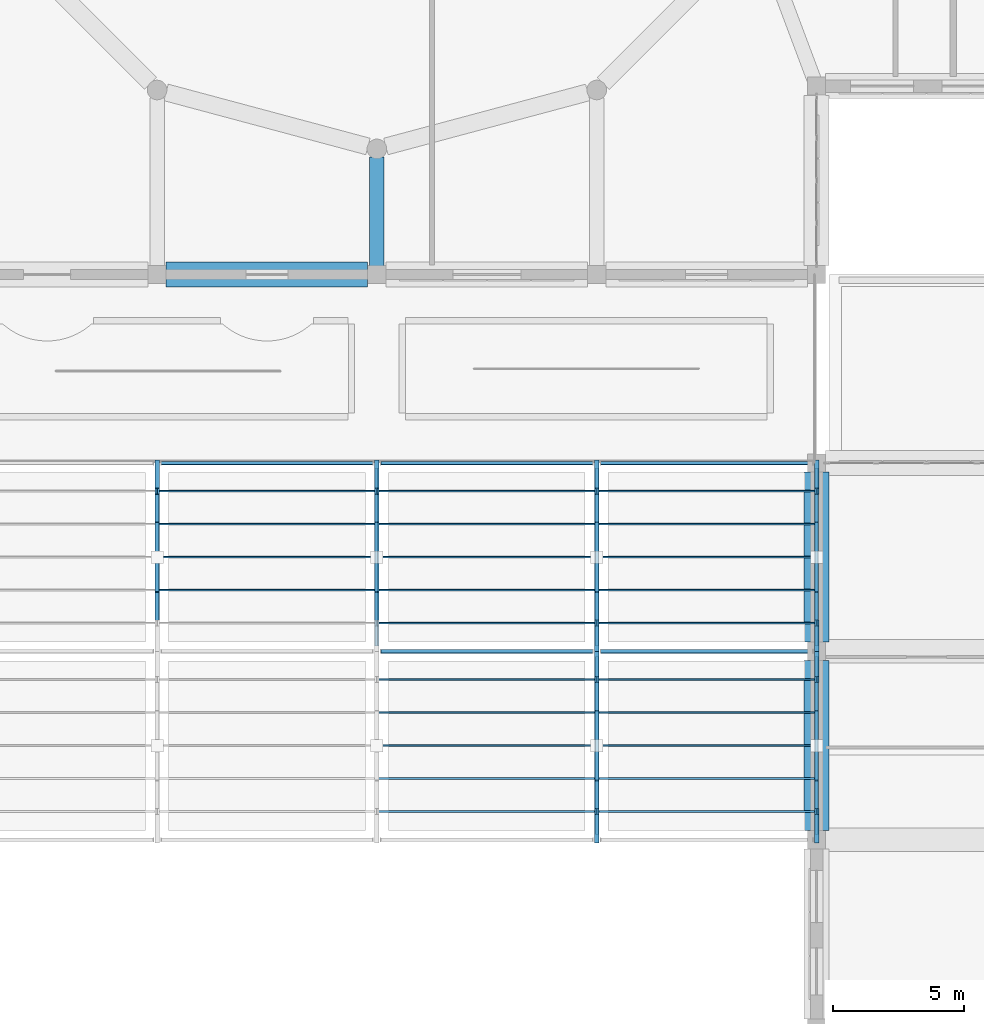
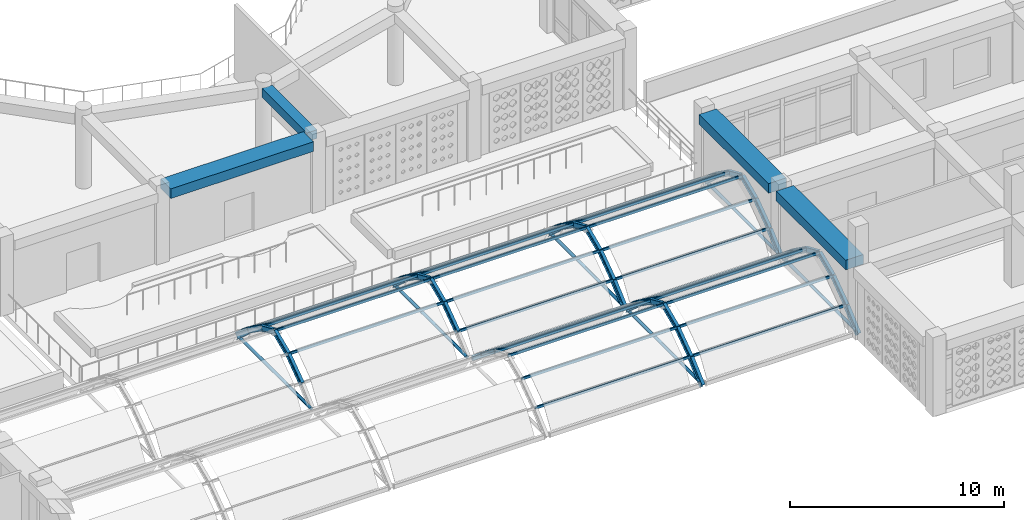
# One storey, part 12 of 100: 43 beams, 30 members.
"""IFC4 building model written with IfcOpenShell, lengths in metres."""

from ifc_helpers import new_model, si_unit, derived_unit, direction, frame, origin, origin_2d, place, context, subcontext, project, spatial, rectangle, hollow_rectangle, hollow_circle, i_section, extrude, material, material_profile, profile_set, type_object, element, save


model = new_model("IFC4")

# Units and contexts
model_context = context("Model", 3, precision=1e-05, world=origin(), true_north=direction((0.0, 1.0)))
body_context = subcontext(model_context, "Body", "Model", "MODEL_VIEW")
ifc_project = project(units=[si_unit("LENGTHUNIT", "METRE"), si_unit("AREAUNIT", "SQUARE_METRE"), si_unit("VOLUMEUNIT", "CUBIC_METRE"), si_unit("PLANEANGLEUNIT", "RADIAN"), si_unit("MASSUNIT", "GRAM", prefix="KILO"), derived_unit("THERMALTRANSMITTANCEUNIT", [(si_unit("POWERUNIT", "WATT"), 1), (si_unit("LENGTHUNIT", "METRE"), -2), (si_unit("THERMODYNAMICTEMPERATUREUNIT", "KELVIN"), -1)])], contexts=[model_context])

# Site, building, storey
site_placement = place(None, origin())
site = spatial("IfcSite", under=ifc_project, at=site_placement, CompositionType="ELEMENT")
building_placement = place(site_placement, origin())
building = spatial("IfcBuilding", under=site, at=building_placement, Name="Veybourne Emporium", CompositionType="ELEMENT")
storey_placement = place(building_placement, frame((0.0, 0.0, 14.39990234375)))
storey = spatial("IfcBuildingStorey", under=building, at=storey_placement, Name="L03", CompositionType="ELEMENT", Elevation=14.39990234375)

# Beams
ifc_material_1 = material(Name="Concrete C32/40", Category="concrete")
ifc_material_profile_1 = material_profile(ifc_material_1, rectangle(XDim=0.949951171875, YDim=0.550048828125, at=origin_2d()), Name="RC 950x550")
ifc_profile_set_1 = profile_set([ifc_material_profile_1], Name="Concrete C32/40")
beam_type_1 = type_object("IfcBeamType", Name="RCBeam_EB-01", PredefinedType="SPANDREL", material=ifc_profile_set_1)
beam_1_placement = place(storey_placement, frame((67.550048828125, 28.800048828125, 3.905029296875), z_axis=(1.0, 0.0, 0.0), x_axis=(0.0, 1.0, 0.0)))
element("IfcBeam", 1, at=beam_1_placement, inside=storey, type_object=beam_type_1, Name="L03 X-grid beam EB-01 (8,4)", PredefinedType="SPANDREL", context=body_context, shape_type="SweptSolid", body=[
    extrude(rectangle(XDim=0.949951171875, YDim=0.550048828125, at=origin_2d()), origin(), (0.0, 0.0, 1.0), 7.699951171875),
])
for number, where, z_axis, x_axis, name in (
    (2, (92.39990234375, 7.550048828125, 3.905029296875), (0.0, 1.0, 0.0), (-1.0, 0.0, 0.0), "L03 Y-grid beam EB-01 (11,1)"),
    (3, (92.39990234375, 14.75, 3.905029296875), (0.0, 1.0, 0.0), (-1.0, 0.0, 0.0), "L03 Y-grid beam EB-01 (11,2)"),
):
    element("IfcBeam", number, at=place(storey_placement, frame(where, z_axis=z_axis, x_axis=x_axis)), inside=storey, type_object=beam_type_1, Name=name, PredefinedType="SPANDREL", context=body_context, shape_type="SweptSolid", body=[
        extrude(rectangle(XDim=0.949951171875, YDim=0.550048828125, at=origin_2d()), origin(), (0.0, 0.0, 1.0), 6.5),
    ])
ifc_material_profile_2 = material_profile(ifc_material_1, rectangle(XDim=0.550048828125, YDim=0.5, at=origin_2d()), Name="RC 550x500")
ifc_profile_set_2 = profile_set([ifc_material_profile_2], Name="Concrete C32/40")
beam_type_2 = type_object("IfcBeamType", Name="RCBeam_TB-01", PredefinedType="BEAM", material=ifc_profile_set_2)
beam_2_placement = place(storey_placement, frame((75.60009765625, 33.284912109375, 3.93017578125), z_axis=(0.0, -1.0, 0.0), x_axis=(1.0, 0.0, 0.0)))
element("IfcBeam", 4, at=beam_2_placement, inside=storey, type_object=beam_type_2, Name="Atrium radial tie beam L03-10", PredefinedType="BEAM", context=body_context, shape_type="SweptSolid", body=[
    extrude(rectangle(XDim=0.550048828125, YDim=0.5, at=origin_2d()), origin(), (0.0, 0.0, 1.0), 4.19482421875),
])
ifc_material_2 = material(Name="Steel S355", Category="steel")
ifc_material_profile_3 = material_profile(ifc_material_2, i_section(OverallWidth=0.17138671875, OverallDepth=0.35498046875, WebThickness=0.00732421875, FlangeThickness=0.011474609375, FilletRadius=0.01025390625, at=origin_2d()), Name="UKB 356x171x51")
ifc_profile_set_3 = profile_set([ifc_material_profile_3], Name="Steel S355")
beam_type_3 = type_object("IfcBeamType", Name="SteelBeam_AR-01", PredefinedType="BEAM", material=ifc_profile_set_3)
beam_3_placement = place(storey_placement, frame((84.0, 7.199951171875, 0.02001953125), z_axis=(0.0, 0.749966467032, 0.661475848635), x_axis=(-1.0, 0.0, 0.0)))
element("IfcBeam", 5, at=beam_3_placement, inside=storey, type_object=beam_type_3, Name="Arcade barrel-vault arch chord AR-01 VA.4.1", PredefinedType="BEAM", context=body_context, shape_type="SweptSolid", body=[
    extrude(i_section(OverallWidth=0.17138671875, OverallDepth=0.35498046875, WebThickness=0.00732421875, FlangeThickness=0.011474609375, FilletRadius=0.01025390625, at=origin_2d()), origin(), (0.0, 0.0, 1.0), 1.440185546875),
])
beam_4_placement = place(storey_placement, frame((84.0, 13.320068359375, 0.97265625), z_axis=(0.0, 0.749892278371, -0.661559952567), x_axis=(-1.0, 0.0, 0.0)))
element("IfcBeam", 6, at=beam_4_placement, inside=storey, type_object=beam_type_3, Name="Arcade barrel-vault arch chord AR-01 VA.4.6", PredefinedType="BEAM", context=body_context, shape_type="SweptSolid", body=[
    extrude(i_section(OverallWidth=0.17138671875, OverallDepth=0.35498046875, WebThickness=0.00732421875, FlangeThickness=0.011474609375, FilletRadius=0.01025390625, at=origin_2d()), origin(), (0.0, 0.0, 1.0), 1.43994140625),
])
beam_5_placement = place(storey_placement, frame((92.39990234375, 7.199951171875, 0.02001953125), z_axis=(0.0, 0.749966467032, 0.661475848635), x_axis=(-1.0, 0.0, 0.0)))
element("IfcBeam", 7, at=beam_5_placement, inside=storey, type_object=beam_type_3, Name="Arcade barrel-vault arch chord AR-01 VA.5.1", PredefinedType="BEAM", context=body_context, shape_type="SweptSolid", body=[
    extrude(i_section(OverallWidth=0.17138671875, OverallDepth=0.35498046875, WebThickness=0.00732421875, FlangeThickness=0.011474609375, FilletRadius=0.01025390625, at=origin_2d()), origin(), (0.0, 0.0, 1.0), 1.440185546875),
])
beam_6_placement = place(storey_placement, frame((92.39990234375, 13.320068359375, 0.97265625), z_axis=(0.0, 0.749892278371, -0.661559952567), x_axis=(-1.0, 0.0, 0.0)))
element("IfcBeam", 8, at=beam_6_placement, inside=storey, type_object=beam_type_3, Name="Arcade barrel-vault arch chord AR-01 VA.5.6", PredefinedType="BEAM", context=body_context, shape_type="SweptSolid", body=[
    extrude(i_section(OverallWidth=0.17138671875, OverallDepth=0.35498046875, WebThickness=0.00732421875, FlangeThickness=0.011474609375, FilletRadius=0.01025390625, at=origin_2d()), origin(), (0.0, 0.0, 1.0), 1.43994140625),
])
for number, where, z_axis, x_axis, name in (
    (9, (67.199951171875, 20.52001953125, 0.97265625), (0.0, 0.749966467032, -0.661475848635), (-1.0, 0.0, 0.0), "Arcade barrel-vault arch chord AR-01 VB.2.6"),
    (10, (75.60009765625, 20.52001953125, 0.97265625), (0.0, 0.749966467032, -0.661475848635), (-1.0, 0.0, 0.0), "Arcade barrel-vault arch chord AR-01 VB.3.6"),
    (11, (84.0, 14.39990234375, 0.02001953125), (0.0, 0.749966467032, 0.661475848635), (-1.0, 0.0, 0.0), "Arcade barrel-vault arch chord AR-01 VB.4.1"),
    (12, (84.0, 20.52001953125, 0.97265625), (0.0, 0.749966467032, -0.661475848635), (-1.0, 0.0, 0.0), "Arcade barrel-vault arch chord AR-01 VB.4.6"),
    (13, (92.39990234375, 14.39990234375, 0.02001953125), (0.0, 0.749966467032, 0.661475848635), (-1.0, 0.0, 0.0), "Arcade barrel-vault arch chord AR-01 VB.5.1"),
    (14, (92.39990234375, 20.52001953125, 0.97265625), (0.0, 0.749966467032, -0.661475848635), (-1.0, 0.0, 0.0), "Arcade barrel-vault arch chord AR-01 VB.5.6"),
):
    element("IfcBeam", number, at=place(storey_placement, frame(where, z_axis=z_axis, x_axis=x_axis)), inside=storey, type_object=beam_type_3, Name=name, PredefinedType="BEAM", context=body_context, shape_type="SweptSolid", body=[
        extrude(i_section(OverallWidth=0.17138671875, OverallDepth=0.35498046875, WebThickness=0.00732421875, FlangeThickness=0.011474609375, FilletRadius=0.01025390625, at=origin_2d()), origin(), (0.0, 0.0, 1.0), 1.440185546875),
    ])
ifc_material_profile_4 = material_profile(ifc_material_2, i_section(OverallWidth=0.1650390625, OverallDepth=0.303466796875, WebThickness=0.006103515625, FlangeThickness=0.01025390625, FilletRadius=0.0087890625, at=origin_2d()), Name="UKB 305x165x40")
ifc_profile_set_4 = profile_set([ifc_material_profile_4], Name="Steel S355")
beam_type_4 = type_object("IfcBeamType", Name="SteelBeam_AR-02", PredefinedType="BEAM", material=ifc_profile_set_4)
beam_7_placement = place(storey_placement, frame((84.0, 8.280029296875, 0.998291015625), z_axis=(0.0, 0.813690857811, 0.581297847849), x_axis=(-1.0, 0.0, 0.0)))
element("IfcBeam", 15, at=beam_7_placement, inside=storey, type_object=beam_type_4, Name="Arcade barrel-vault arch chord AR-02 VA.4.2", PredefinedType="BEAM", context=body_context, shape_type="SweptSolid", body=[
    extrude(i_section(OverallWidth=0.1650390625, OverallDepth=0.303466796875, WebThickness=0.006103515625, FlangeThickness=0.01025390625, FilletRadius=0.0087890625, at=origin_2d()), origin(), (0.0, 0.0, 1.0), 1.548583984375),
])
for number, where, z_axis, x_axis, name in (
    (16, (84.0, 9.5400390625, 1.8984375), (0.0, 0.916479008247, 0.400082775738), (-1.0, 0.0, 0.0), "Arcade barrel-vault arch chord AR-02 VA.4.3"),
    (17, (84.0, 10.800048828125, 2.448486328125), (0.0, 0.916479008247, -0.400082775738), (-1.0, 0.0, 0.0), "Arcade barrel-vault arch chord AR-02 VA.4.4"),
):
    element("IfcBeam", number, at=place(storey_placement, frame(where, z_axis=z_axis, x_axis=x_axis)), inside=storey, type_object=beam_type_4, Name=name, PredefinedType="BEAM", context=body_context, shape_type="SweptSolid", body=[
        extrude(i_section(OverallWidth=0.1650390625, OverallDepth=0.303466796875, WebThickness=0.006103515625, FlangeThickness=0.01025390625, FilletRadius=0.0087890625, at=origin_2d()), origin(), (0.0, 0.0, 1.0), 1.374755859375),
    ])
for number, where, z_axis, x_axis, name in (
    (18, (84.0, 12.06005859375, 1.8984375), (0.0, 0.813690857811, -0.581297847849), (-1.0, 0.0, 0.0), "Arcade barrel-vault arch chord AR-02 VA.4.5"),
    (19, (92.39990234375, 8.280029296875, 0.998291015625), (0.0, 0.813690857811, 0.581297847849), (-1.0, 0.0, 0.0), "Arcade barrel-vault arch chord AR-02 VA.5.2"),
):
    element("IfcBeam", number, at=place(storey_placement, frame(where, z_axis=z_axis, x_axis=x_axis)), inside=storey, type_object=beam_type_4, Name=name, PredefinedType="BEAM", context=body_context, shape_type="SweptSolid", body=[
        extrude(i_section(OverallWidth=0.1650390625, OverallDepth=0.303466796875, WebThickness=0.006103515625, FlangeThickness=0.01025390625, FilletRadius=0.0087890625, at=origin_2d()), origin(), (0.0, 0.0, 1.0), 1.548583984375),
    ])
for number, where, z_axis, x_axis, name in (
    (20, (92.39990234375, 9.5400390625, 1.8984375), (0.0, 0.916479008247, 0.400082775738), (-1.0, 0.0, 0.0), "Arcade barrel-vault arch chord AR-02 VA.5.3"),
    (21, (92.39990234375, 10.800048828125, 2.448486328125), (0.0, 0.916479008247, -0.400082775738), (-1.0, 0.0, 0.0), "Arcade barrel-vault arch chord AR-02 VA.5.4"),
):
    element("IfcBeam", number, at=place(storey_placement, frame(where, z_axis=z_axis, x_axis=x_axis)), inside=storey, type_object=beam_type_4, Name=name, PredefinedType="BEAM", context=body_context, shape_type="SweptSolid", body=[
        extrude(i_section(OverallWidth=0.1650390625, OverallDepth=0.303466796875, WebThickness=0.006103515625, FlangeThickness=0.01025390625, FilletRadius=0.0087890625, at=origin_2d()), origin(), (0.0, 0.0, 1.0), 1.374755859375),
    ])
for number, where, z_axis, x_axis, name in (
    (22, (92.39990234375, 12.06005859375, 1.8984375), (0.0, 0.813690857811, -0.581297847849), (-1.0, 0.0, 0.0), "Arcade barrel-vault arch chord AR-02 VA.5.5"),
    (23, (67.199951171875, 15.47998046875, 0.998291015625), (0.0, 0.813690857811, 0.581297847849), (-1.0, 0.0, 0.0), "Arcade barrel-vault arch chord AR-02 VB.2.2"),
):
    element("IfcBeam", number, at=place(storey_placement, frame(where, z_axis=z_axis, x_axis=x_axis)), inside=storey, type_object=beam_type_4, Name=name, PredefinedType="BEAM", context=body_context, shape_type="SweptSolid", body=[
        extrude(i_section(OverallWidth=0.1650390625, OverallDepth=0.303466796875, WebThickness=0.006103515625, FlangeThickness=0.01025390625, FilletRadius=0.0087890625, at=origin_2d()), origin(), (0.0, 0.0, 1.0), 1.548583984375),
    ])
for number, where, z_axis, x_axis, name in (
    (24, (67.199951171875, 16.739990234375, 1.8984375), (0.0, 0.916479008247, 0.400082775738), (-1.0, 0.0, 0.0), "Arcade barrel-vault arch chord AR-02 VB.2.3"),
    (25, (67.199951171875, 18.0, 2.448486328125), (0.0, 0.916479008247, -0.400082775738), (-1.0, 0.0, 0.0), "Arcade barrel-vault arch chord AR-02 VB.2.4"),
):
    element("IfcBeam", number, at=place(storey_placement, frame(where, z_axis=z_axis, x_axis=x_axis)), inside=storey, type_object=beam_type_4, Name=name, PredefinedType="BEAM", context=body_context, shape_type="SweptSolid", body=[
        extrude(i_section(OverallWidth=0.1650390625, OverallDepth=0.303466796875, WebThickness=0.006103515625, FlangeThickness=0.01025390625, FilletRadius=0.0087890625, at=origin_2d()), origin(), (0.0, 0.0, 1.0), 1.374755859375),
    ])
for number, where, z_axis, x_axis, name in (
    (26, (67.199951171875, 19.260009765625, 1.8984375), (0.0, 0.813690857811, -0.581297847849), (-1.0, 0.0, 0.0), "Arcade barrel-vault arch chord AR-02 VB.2.5"),
    (27, (75.60009765625, 15.47998046875, 0.998291015625), (0.0, 0.813690857811, 0.581297847849), (-1.0, 0.0, 0.0), "Arcade barrel-vault arch chord AR-02 VB.3.2"),
):
    element("IfcBeam", number, at=place(storey_placement, frame(where, z_axis=z_axis, x_axis=x_axis)), inside=storey, type_object=beam_type_4, Name=name, PredefinedType="BEAM", context=body_context, shape_type="SweptSolid", body=[
        extrude(i_section(OverallWidth=0.1650390625, OverallDepth=0.303466796875, WebThickness=0.006103515625, FlangeThickness=0.01025390625, FilletRadius=0.0087890625, at=origin_2d()), origin(), (0.0, 0.0, 1.0), 1.548583984375),
    ])
for number, where, z_axis, x_axis, name in (
    (28, (75.60009765625, 16.739990234375, 1.8984375), (0.0, 0.916479008247, 0.400082775738), (-1.0, 0.0, 0.0), "Arcade barrel-vault arch chord AR-02 VB.3.3"),
    (29, (75.60009765625, 18.0, 2.448486328125), (0.0, 0.916479008247, -0.400082775738), (-1.0, 0.0, 0.0), "Arcade barrel-vault arch chord AR-02 VB.3.4"),
):
    element("IfcBeam", number, at=place(storey_placement, frame(where, z_axis=z_axis, x_axis=x_axis)), inside=storey, type_object=beam_type_4, Name=name, PredefinedType="BEAM", context=body_context, shape_type="SweptSolid", body=[
        extrude(i_section(OverallWidth=0.1650390625, OverallDepth=0.303466796875, WebThickness=0.006103515625, FlangeThickness=0.01025390625, FilletRadius=0.0087890625, at=origin_2d()), origin(), (0.0, 0.0, 1.0), 1.374755859375),
    ])
for number, where, z_axis, x_axis, name in (
    (30, (75.60009765625, 19.260009765625, 1.8984375), (0.0, 0.813690857811, -0.581297847849), (-1.0, 0.0, 0.0), "Arcade barrel-vault arch chord AR-02 VB.3.5"),
    (31, (84.0, 15.47998046875, 0.998291015625), (0.0, 0.813690857811, 0.581297847849), (-1.0, 0.0, 0.0), "Arcade barrel-vault arch chord AR-02 VB.4.2"),
):
    element("IfcBeam", number, at=place(storey_placement, frame(where, z_axis=z_axis, x_axis=x_axis)), inside=storey, type_object=beam_type_4, Name=name, PredefinedType="BEAM", context=body_context, shape_type="SweptSolid", body=[
        extrude(i_section(OverallWidth=0.1650390625, OverallDepth=0.303466796875, WebThickness=0.006103515625, FlangeThickness=0.01025390625, FilletRadius=0.0087890625, at=origin_2d()), origin(), (0.0, 0.0, 1.0), 1.548583984375),
    ])
for number, where, z_axis, x_axis, name in (
    (32, (84.0, 16.739990234375, 1.8984375), (0.0, 0.916479008247, 0.400082775738), (-1.0, 0.0, 0.0), "Arcade barrel-vault arch chord AR-02 VB.4.3"),
    (33, (84.0, 18.0, 2.448486328125), (0.0, 0.916479008247, -0.400082775738), (-1.0, 0.0, 0.0), "Arcade barrel-vault arch chord AR-02 VB.4.4"),
):
    element("IfcBeam", number, at=place(storey_placement, frame(where, z_axis=z_axis, x_axis=x_axis)), inside=storey, type_object=beam_type_4, Name=name, PredefinedType="BEAM", context=body_context, shape_type="SweptSolid", body=[
        extrude(i_section(OverallWidth=0.1650390625, OverallDepth=0.303466796875, WebThickness=0.006103515625, FlangeThickness=0.01025390625, FilletRadius=0.0087890625, at=origin_2d()), origin(), (0.0, 0.0, 1.0), 1.374755859375),
    ])
for number, where, z_axis, x_axis, name in (
    (34, (84.0, 19.260009765625, 1.8984375), (0.0, 0.813690857811, -0.581297847849), (-1.0, 0.0, 0.0), "Arcade barrel-vault arch chord AR-02 VB.4.5"),
    (35, (92.39990234375, 15.47998046875, 0.998291015625), (0.0, 0.813690857811, 0.581297847849), (-1.0, 0.0, 0.0), "Arcade barrel-vault arch chord AR-02 VB.5.2"),
):
    element("IfcBeam", number, at=place(storey_placement, frame(where, z_axis=z_axis, x_axis=x_axis)), inside=storey, type_object=beam_type_4, Name=name, PredefinedType="BEAM", context=body_context, shape_type="SweptSolid", body=[
        extrude(i_section(OverallWidth=0.1650390625, OverallDepth=0.303466796875, WebThickness=0.006103515625, FlangeThickness=0.01025390625, FilletRadius=0.0087890625, at=origin_2d()), origin(), (0.0, 0.0, 1.0), 1.548583984375),
    ])
for number, where, z_axis, x_axis, name in (
    (36, (92.39990234375, 16.739990234375, 1.8984375), (0.0, 0.916479008247, 0.400082775738), (-1.0, 0.0, 0.0), "Arcade barrel-vault arch chord AR-02 VB.5.3"),
    (37, (92.39990234375, 18.0, 2.448486328125), (0.0, 0.916479008247, -0.400082775738), (-1.0, 0.0, 0.0), "Arcade barrel-vault arch chord AR-02 VB.5.4"),
):
    element("IfcBeam", number, at=place(storey_placement, frame(where, z_axis=z_axis, x_axis=x_axis)), inside=storey, type_object=beam_type_4, Name=name, PredefinedType="BEAM", context=body_context, shape_type="SweptSolid", body=[
        extrude(i_section(OverallWidth=0.1650390625, OverallDepth=0.303466796875, WebThickness=0.006103515625, FlangeThickness=0.01025390625, FilletRadius=0.0087890625, at=origin_2d()), origin(), (0.0, 0.0, 1.0), 1.374755859375),
    ])
beam_8_placement = place(storey_placement, frame((92.39990234375, 19.260009765625, 1.8984375), z_axis=(0.0, 0.813690857811, -0.581297847849), x_axis=(-1.0, 0.0, 0.0)))
element("IfcBeam", 38, at=beam_8_placement, inside=storey, type_object=beam_type_4, Name="Arcade barrel-vault arch chord AR-02 VB.5.5", PredefinedType="BEAM", context=body_context, shape_type="SweptSolid", body=[
    extrude(i_section(OverallWidth=0.1650390625, OverallDepth=0.303466796875, WebThickness=0.006103515625, FlangeThickness=0.01025390625, FilletRadius=0.0087890625, at=origin_2d()), origin(), (0.0, 0.0, 1.0), 1.548583984375),
])
ifc_material_profile_5 = material_profile(ifc_material_2, hollow_rectangle(XDim=0.14990234375, YDim=0.25, WallThickness=0.008056640625, InnerFilletRadius=0.011962890625, OuterFilletRadius=0.02001953125, at=origin_2d()), Name="RHS 250x150x8")
ifc_profile_set_5 = profile_set([ifc_material_profile_5], Name="Steel S355")
beam_type_5 = type_object("IfcBeamType", Name="SteelBeam_AR-03", PredefinedType="BEAM", material=ifc_profile_set_5)
for number, where, z_axis, x_axis, name in (
    (39, (75.75, 14.39990234375, 0.125), (1.0, 0.0, 0.0), (0.0, 1.0, 0.0), "Arcade springing edge beam B3.Y14"),
    (40, (84.14990234375, 14.39990234375, 0.125), (1.0, 0.0, 0.0), (0.0, 1.0, 0.0), "Arcade springing edge beam B4.Y14"),
):
    element("IfcBeam", number, at=place(storey_placement, frame(where, z_axis=z_axis, x_axis=x_axis)), inside=storey, type_object=beam_type_5, Name=name, PredefinedType="BEAM", context=body_context, shape_type="SweptSolid", body=[
        extrude(hollow_rectangle(XDim=0.14990234375, YDim=0.25, WallThickness=0.008056640625, InnerFilletRadius=0.011962890625, OuterFilletRadius=0.02001953125, at=origin_2d()), origin(), (0.0, 0.0, 1.0), 8.10009765625),
    ])
beam_9_placement = place(storey_placement, frame((67.35009765625, 21.60009765625, 0.125), z_axis=(1.0, 0.0, 0.0), x_axis=(0.0, 1.0, 0.0)))
element("IfcBeam", 41, at=beam_9_placement, inside=storey, type_object=beam_type_5, Name="Arcade springing edge beam B2.Y22", PredefinedType="BEAM", context=body_context, shape_type="SweptSolid", body=[
    extrude(hollow_rectangle(XDim=0.14990234375, YDim=0.25, WallThickness=0.008056640625, InnerFilletRadius=0.011962890625, OuterFilletRadius=0.02001953125, at=origin_2d()), origin(), (0.0, 0.0, 1.0), 8.099853515625),
])
for number, where, z_axis, x_axis, name in (
    (42, (75.75, 21.60009765625, 0.125), (1.0, 0.0, 0.0), (0.0, 1.0, 0.0), "Arcade springing edge beam B3.Y22"),
    (43, (84.14990234375, 21.60009765625, 0.125), (1.0, 0.0, 0.0), (0.0, 1.0, 0.0), "Arcade springing edge beam B4.Y22"),
):
    element("IfcBeam", number, at=place(storey_placement, frame(where, z_axis=z_axis, x_axis=x_axis)), inside=storey, type_object=beam_type_5, Name=name, PredefinedType="BEAM", context=body_context, shape_type="SweptSolid", body=[
        extrude(hollow_rectangle(XDim=0.14990234375, YDim=0.25, WallThickness=0.008056640625, InnerFilletRadius=0.011962890625, OuterFilletRadius=0.02001953125, at=origin_2d()), origin(), (0.0, 0.0, 1.0), 8.10009765625),
    ])

# Members
ifc_material_profile_6 = material_profile(ifc_material_2, hollow_rectangle(XDim=0.080078125, YDim=0.159912109375, WallThickness=0.00634765625, InnerFilletRadius=0.009521484375, OuterFilletRadius=0.015869140625, at=origin_2d()), Name="RHS 160x80x6.3")
ifc_profile_set_6 = profile_set([ifc_material_profile_6], Name="Steel S355")
member_type_1 = type_object("IfcMemberType", Name="SteelMem_AP-01", PredefinedType="PURLIN", material=ifc_profile_set_6)
for number, where, z_axis, x_axis, name in (
    (44, (75.60009765625, 8.280029296875, 1.045166015625), (1.0, 0.0, 0.0), (0.0, 1.0, 0.0), "Arcade vault purlin AP-01 VA.3.1"),
    (45, (75.60009765625, 9.5400390625, 1.945068359375), (1.0, 0.0, 0.0), (0.0, 1.0, 0.0), "Arcade vault purlin AP-01 VA.3.2"),
    (46, (75.60009765625, 10.800048828125, 2.4951171875), (1.0, 0.0, 0.0), (0.0, 1.0, 0.0), "Arcade vault purlin AP-01 VA.3.3"),
    (47, (75.60009765625, 12.06005859375, 1.945068359375), (1.0, 0.0, 0.0), (0.0, 1.0, 0.0), "Arcade vault purlin AP-01 VA.3.4"),
    (48, (75.60009765625, 13.320068359375, 1.045166015625), (1.0, 0.0, 0.0), (0.0, 1.0, 0.0), "Arcade vault purlin AP-01 VA.3.5"),
    (49, (84.0, 8.280029296875, 1.045166015625), (1.0, 0.0, 0.0), (0.0, 1.0, 0.0), "Arcade vault purlin AP-01 VA.4.1"),
    (50, (84.0, 9.5400390625, 1.945068359375), (1.0, 0.0, 0.0), (0.0, 1.0, 0.0), "Arcade vault purlin AP-01 VA.4.2"),
    (51, (84.0, 10.800048828125, 2.4951171875), (1.0, 0.0, 0.0), (0.0, 1.0, 0.0), "Arcade vault purlin AP-01 VA.4.3"),
    (52, (84.0, 12.06005859375, 1.945068359375), (1.0, 0.0, 0.0), (0.0, 1.0, 0.0), "Arcade vault purlin AP-01 VA.4.4"),
    (53, (84.0, 13.320068359375, 1.045166015625), (1.0, 0.0, 0.0), (0.0, 1.0, 0.0), "Arcade vault purlin AP-01 VA.4.5"),
):
    element("IfcMember", number, at=place(storey_placement, frame(where, z_axis=z_axis, x_axis=x_axis)), inside=storey, type_object=member_type_1, Name=name, PredefinedType="PURLIN", context=body_context, shape_type="SweptSolid", body=[
        extrude(hollow_rectangle(XDim=0.080078125, YDim=0.159912109375, WallThickness=0.00634765625, InnerFilletRadius=0.009521484375, OuterFilletRadius=0.015869140625, at=origin_2d()), origin(), (0.0, 0.0, 1.0), 8.39990234375),
    ])
for number, where, z_axis, x_axis, name in (
    (54, (67.199951171875, 16.739990234375, 1.945068359375), (1.0, 0.0, 0.0), (0.0, 1.0, 0.0), "Arcade vault purlin AP-01 VB.2.2"),
    (55, (67.199951171875, 18.0, 2.4951171875), (1.0, 0.0, 0.0), (0.0, 1.0, 0.0), "Arcade vault purlin AP-01 VB.2.3"),
    (56, (67.199951171875, 19.260009765625, 1.945068359375), (1.0, 0.0, 0.0), (0.0, 1.0, 0.0), "Arcade vault purlin AP-01 VB.2.4"),
    (57, (67.199951171875, 20.52001953125, 1.045166015625), (1.0, 0.0, 0.0), (0.0, 1.0, 0.0), "Arcade vault purlin AP-01 VB.2.5"),
):
    element("IfcMember", number, at=place(storey_placement, frame(where, z_axis=z_axis, x_axis=x_axis)), inside=storey, type_object=member_type_1, Name=name, PredefinedType="PURLIN", context=body_context, shape_type="SweptSolid", body=[
        extrude(hollow_rectangle(XDim=0.080078125, YDim=0.159912109375, WallThickness=0.00634765625, InnerFilletRadius=0.009521484375, OuterFilletRadius=0.015869140625, at=origin_2d()), origin(), (0.0, 0.0, 1.0), 8.400146484375),
    ])
for number, where, z_axis, x_axis, name in (
    (58, (75.60009765625, 15.47998046875, 1.045166015625), (1.0, 0.0, 0.0), (0.0, 1.0, 0.0), "Arcade vault purlin AP-01 VB.3.1"),
    (59, (75.60009765625, 16.739990234375, 1.945068359375), (1.0, 0.0, 0.0), (0.0, 1.0, 0.0), "Arcade vault purlin AP-01 VB.3.2"),
    (60, (75.60009765625, 18.0, 2.4951171875), (1.0, 0.0, 0.0), (0.0, 1.0, 0.0), "Arcade vault purlin AP-01 VB.3.3"),
    (61, (75.60009765625, 19.260009765625, 1.945068359375), (1.0, 0.0, 0.0), (0.0, 1.0, 0.0), "Arcade vault purlin AP-01 VB.3.4"),
    (62, (75.60009765625, 20.52001953125, 1.045166015625), (1.0, 0.0, 0.0), (0.0, 1.0, 0.0), "Arcade vault purlin AP-01 VB.3.5"),
    (63, (84.0, 15.47998046875, 1.045166015625), (1.0, 0.0, 0.0), (0.0, 1.0, 0.0), "Arcade vault purlin AP-01 VB.4.1"),
    (64, (84.0, 16.739990234375, 1.945068359375), (1.0, 0.0, 0.0), (0.0, 1.0, 0.0), "Arcade vault purlin AP-01 VB.4.2"),
    (65, (84.0, 18.0, 2.4951171875), (1.0, 0.0, 0.0), (0.0, 1.0, 0.0), "Arcade vault purlin AP-01 VB.4.3"),
    (66, (84.0, 19.260009765625, 1.945068359375), (1.0, 0.0, 0.0), (0.0, 1.0, 0.0), "Arcade vault purlin AP-01 VB.4.4"),
    (67, (84.0, 20.52001953125, 1.045166015625), (1.0, 0.0, 0.0), (0.0, 1.0, 0.0), "Arcade vault purlin AP-01 VB.4.5"),
):
    element("IfcMember", number, at=place(storey_placement, frame(where, z_axis=z_axis, x_axis=x_axis)), inside=storey, type_object=member_type_1, Name=name, PredefinedType="PURLIN", context=body_context, shape_type="SweptSolid", body=[
        extrude(hollow_rectangle(XDim=0.080078125, YDim=0.159912109375, WallThickness=0.00634765625, InnerFilletRadius=0.009521484375, OuterFilletRadius=0.015869140625, at=origin_2d()), origin(), (0.0, 0.0, 1.0), 8.39990234375),
    ])
ifc_material_profile_7 = material_profile(ifc_material_2, hollow_circle(Radius=0.084228515625, WallThickness=0.008056640625, at=origin_2d()), Name="CHS 168.3x8.0")
ifc_profile_set_7 = profile_set([ifc_material_profile_7], Name="Steel S355")
member_type_2 = type_object("IfcMemberType", Name="SteelMem_AT-01", PredefinedType="CHORD", material=ifc_profile_set_7)
for number, where, z_axis, x_axis, name in (
    (68, (84.0, 7.39990234375, 0.1201171875), (0.0, 1.0, 0.0), (-1.0, 0.0, 0.0), "Arcade arch tension tie VA-04"),
    (69, (92.39990234375, 7.39990234375, 0.1201171875), (0.0, 1.0, 0.0), (-1.0, 0.0, 0.0), "Arcade arch tension tie VA-05"),
):
    element("IfcMember", number, at=place(storey_placement, frame(where, z_axis=z_axis, x_axis=x_axis)), inside=storey, type_object=member_type_2, Name=name, PredefinedType="CHORD", context=body_context, shape_type="SweptSolid", body=[
        extrude(hollow_circle(Radius=0.084228515625, WallThickness=0.008056640625, at=origin_2d()), origin(), (0.0, 0.0, 1.0), 6.800048828125),
    ])
for number, where, z_axis, x_axis, name in (
    (70, (67.199951171875, 14.60009765625, 0.1201171875), (0.0, 1.0, 0.0), (-1.0, 0.0, 0.0), "Arcade arch tension tie VB-02"),
    (71, (75.60009765625, 14.60009765625, 0.1201171875), (0.0, 1.0, 0.0), (-1.0, 0.0, 0.0), "Arcade arch tension tie VB-03"),
    (72, (84.0, 14.60009765625, 0.1201171875), (0.0, 1.0, 0.0), (-1.0, 0.0, 0.0), "Arcade arch tension tie VB-04"),
    (73, (92.39990234375, 14.60009765625, 0.1201171875), (0.0, 1.0, 0.0), (-1.0, 0.0, 0.0), "Arcade arch tension tie VB-05"),
):
    element("IfcMember", number, at=place(storey_placement, frame(where, z_axis=z_axis, x_axis=x_axis)), inside=storey, type_object=member_type_2, Name=name, PredefinedType="CHORD", context=body_context, shape_type="SweptSolid", body=[
        extrude(hollow_circle(Radius=0.084228515625, WallThickness=0.008056640625, at=origin_2d()), origin(), (0.0, 0.0, 1.0), 6.7998046875),
    ])

save(model, "model.ifc")
